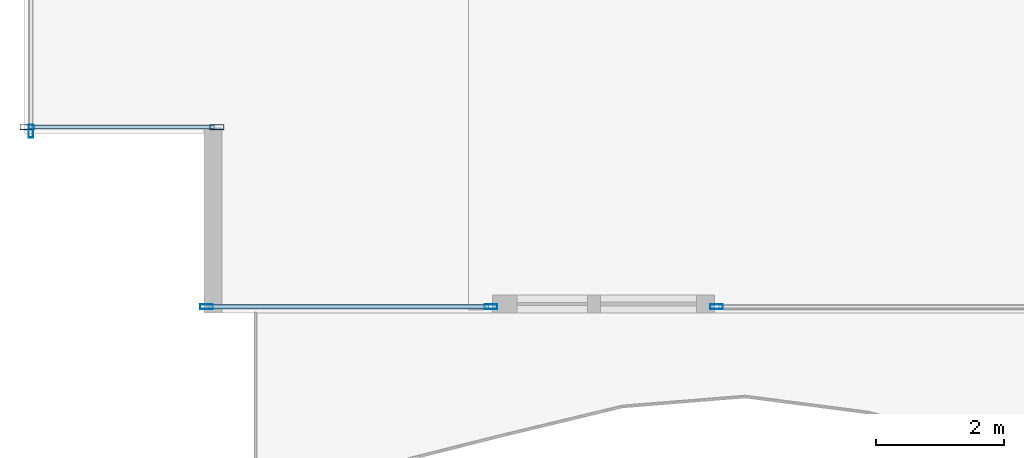
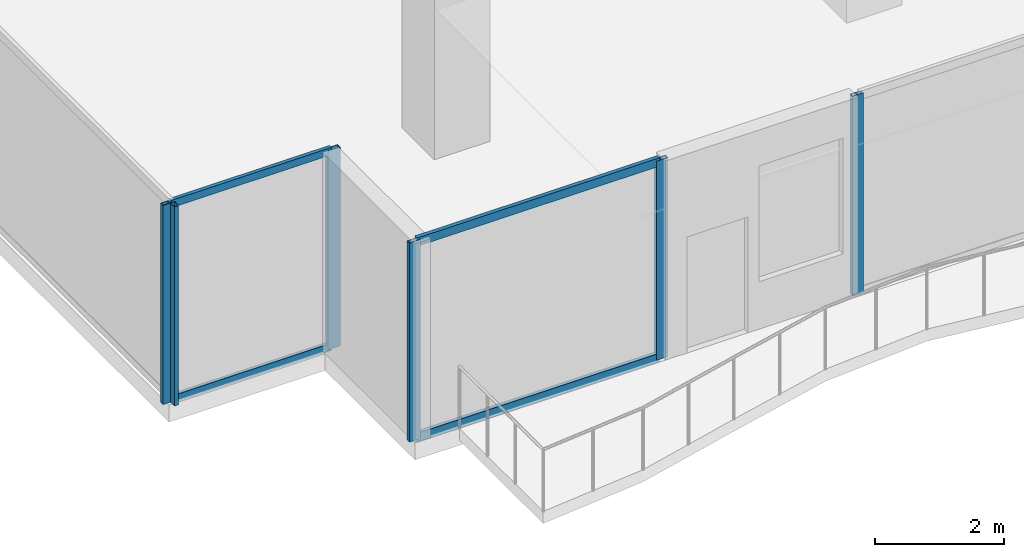
# One storey, part 2 of 32: 10 members, 4 elements without a shape of their own.
"""IFC4 building model written with IfcOpenShell, lengths in metres."""

from ifc_helpers import new_model, si_unit, direction, frame, origin, origin_2d, place, context, subcontext, project, spatial, hollow_rectangle, extrude, source, transform, mapped, material, layer, layer_set, material_profile, profile_set, type_object, type_shapes, element, aggregate, save


model = new_model("IFC4")

# Units and contexts
model_context = context("Model", 3, precision=1e-05, world=origin(), true_north=direction((0.0, 1.0)))
body_context = subcontext(model_context, "Body", "Model", "MODEL_VIEW")
ifc_project = project(units=[si_unit("LENGTHUNIT", "METRE"), si_unit("AREAUNIT", "SQUARE_METRE"), si_unit("VOLUMEUNIT", "CUBIC_METRE"), si_unit("PLANEANGLEUNIT", "RADIAN"), si_unit("MASSUNIT", "GRAM", prefix="KILO")], contexts=[model_context])

# Site, building, storey
site_placement = place(None, origin())
site = spatial("IfcSite", under=ifc_project, at=site_placement, CompositionType="ELEMENT")
building_placement = place(site_placement, origin())
building = spatial("IfcBuilding", under=site, at=building_placement, Name="Haelvirn Gate Laboratories", CompositionType="ELEMENT")
storey_placement = place(building_placement, frame((0.0, 0.0, 33.39990234375)))
storey = spatial("IfcBuildingStorey", under=building, at=storey_placement, Name="L08", CompositionType="ELEMENT", Elevation=33.39990234375)

# Curtain wall, members
ifc_material_1 = material(Name="Anodised bronze unitised aluminium & triple low-E glass", Category="aluminium")
ifc_layer_1 = layer(ifc_material_1, 0.18408203125, Name="CW-SYS-2")
ifc_layer_set_1 = layer_set([ifc_layer_1], Name="Anodised bronze unitised aluminium & triple low-E glass")
curtain_wall_type_1 = type_object("IfcCurtainWallType", Name="CW-SYS-2", PredefinedType="NOTDEFINED", material=ifc_layer_set_1)
curtain_wall_1_placement = place(storey_placement, origin())
curtain_wall_1 = element("IfcCurtainWall", 1, at=curtain_wall_1_placement, inside=storey, type_object=curtain_wall_type_1, Name="L08 Unitised Curtain Wall CW-L08-P0-E00-1", PredefinedType="NOTDEFINED")
ifc_material_2 = material(Name="Extruded aluminium 6063-T6 (anodised bronze)", Category="aluminium")
ifc_material_profile_1 = material_profile(ifc_material_2, hollow_rectangle(XDim=0.074951171875, YDim=0.199951171875, WallThickness=0.0048828125, at=origin_2d()), Name="CWM-200x75x5")
ifc_profile_set_1 = profile_set([ifc_material_profile_1], Name="Extruded aluminium 6063-T6 (anodised bronze)")
member_type_1 = type_object("IfcMemberType", Name="CWM-T200", PredefinedType="MULLION", material=ifc_profile_set_1)
shared_shape_1 = source(origin(), body_context, "Body", "SweptSolid", [
    extrude(hollow_rectangle(XDim=0.074951171875, YDim=0.199951171875, WallThickness=0.0048828125, at=origin_2d()), origin(), (0.0, 0.0, 1.0), 3.780029296875),
])
type_shapes(member_type_1, [shared_shape_1])
member_1_placement = place(storey_placement, frame((2.83740234375, 0.10009765625, 0.0), z_axis=(0.0, 0.0, 1.0), x_axis=(0.0, 1.0, 0.0)))
member_1 = element("IfcMember", 2, at=member_1_placement, type_object=member_type_1, Name="CW2 mullion 1", PredefinedType="MULLION", context=body_context, shape_type="MappedRepresentation", body=[
    mapped(shared_shape_1, transform((0.0, 0.0, 0.0), scale=1.0)),
])
member_2_placement = place(storey_placement, frame((7.2724609375, 0.10009765625, 0.0), z_axis=(0.0, 0.0, 1.0), x_axis=(0.0, 1.0, 0.0)))
member_2 = element("IfcMember", 3, at=member_2_placement, type_object=member_type_1, Name="CW2 mullion 2", PredefinedType="MULLION", context=body_context, shape_type="MappedRepresentation", body=[
    mapped(shared_shape_1, transform((0.0, 0.0, 0.0), scale=1.0)),
])

# Curtain wall, member
curtain_wall_2_placement = place(storey_placement, origin())
curtain_wall_2 = element("IfcCurtainWall", 4, at=curtain_wall_2_placement, inside=storey, type_object=curtain_wall_type_1, Name="L08 Unitised Curtain Wall CW-L08-P0-E00-2", PredefinedType="NOTDEFINED")
member_3_placement = place(storey_placement, frame((10.78759765625, 0.10009765625, 0.0), z_axis=(0.0, 0.0, 1.0), x_axis=(0.0, 1.0, 0.0)))
member_3 = element("IfcMember", 5, at=member_3_placement, type_object=member_type_1, Name="CW2 mullion 1", PredefinedType="MULLION", context=body_context, shape_type="MappedRepresentation", body=[
    mapped(shared_shape_1, transform((0.0, 0.0, 0.0), scale=1.0)),
])
aggregate(curtain_wall_2, [member_3])

curtain_wall_3_placement = place(storey_placement, origin())
curtain_wall_3 = element("IfcCurtainWall", 6, at=curtain_wall_3_placement, inside=storey, type_object=curtain_wall_type_1, Name="L08 Unitised Curtain Wall CW-L08-P0-E17", PredefinedType="NOTDEFINED")
member_4_placement = place(storey_placement, frame((0.10009765625, 2.83740234375, 0.0), z_axis=(0.0, 0.0, 1.0), x_axis=(1.0, 0.0, 0.0)))
member_4 = element("IfcMember", 7, at=member_4_placement, type_object=member_type_1, Name="CW2 mullion 4", PredefinedType="MULLION", context=body_context, shape_type="MappedRepresentation", body=[
    mapped(shared_shape_1, transform((0.0, 0.0, 0.0), scale=1.0)),
])
aggregate(curtain_wall_3, [member_4])

# Curtain wall, members
ifc_layer_2 = layer(ifc_material_1, 0.181884765625, Name="CW-SYS-5")
ifc_layer_set_2 = layer_set([ifc_layer_2], Name="Anodised bronze unitised aluminium & triple low-E glass")
curtain_wall_type_2 = type_object("IfcCurtainWallType", Name="CW-SYS-5", PredefinedType="NOTDEFINED", material=ifc_layer_set_2)
curtain_wall_4_placement = place(storey_placement, origin())
curtain_wall_4 = element("IfcCurtainWall", 8, at=curtain_wall_4_placement, inside=storey, type_object=curtain_wall_type_2, Name="L08 Unitised Curtain Wall CW-L08-P0-E18-1", PredefinedType="NOTDEFINED")
ifc_material_profile_2 = material_profile(ifc_material_2, hollow_rectangle(XDim=0.080078125, YDim=0.219970703125, WallThickness=0.006103515625, at=origin_2d()), Name="CWM-220x80x6")
ifc_profile_set_2 = profile_set([ifc_material_profile_2], Name="Extruded aluminium 6063-T6 (anodised bronze)")
member_type_2 = type_object("IfcMemberType", Name="CWM-T220", PredefinedType="MULLION", material=ifc_profile_set_2)
shared_shape_2 = source(origin(), body_context, "Body", "SweptSolid", [
    extrude(hollow_rectangle(XDim=0.080078125, YDim=0.219970703125, WallThickness=0.006103515625, at=origin_2d()), origin(), (0.0, 0.0, 1.0), 3.780029296875),
])
type_shapes(member_type_2, [shared_shape_2])
member_5_placement = place(storey_placement, frame((0.0400390625, 2.89990234375, 0.0), z_axis=(0.0, 0.0, 1.0), x_axis=(0.0, 1.0, 0.0)))
member_5 = element("IfcMember", 9, at=member_5_placement, type_object=member_type_2, Name="CW5 mullion 1", PredefinedType="MULLION", context=body_context, shape_type="MappedRepresentation", body=[
    mapped(shared_shape_2, transform((0.0, 0.0, 0.0), scale=1.0)),
])
member_6_placement = place(storey_placement, frame((3.0, 2.89990234375, 0.0), z_axis=(0.0, 0.0, 1.0), x_axis=(0.0, 1.0, 0.0)))
member_6 = element("IfcMember", 10, at=member_6_placement, type_object=member_type_2, Name="CW5 mullion 2", PredefinedType="MULLION", context=body_context, shape_type="MappedRepresentation", body=[
    mapped(shared_shape_2, transform((0.0, 0.0, 0.0), scale=1.0)),
])
ifc_material_profile_3 = material_profile(ifc_material_2, hollow_rectangle(XDim=0.06494140625, YDim=0.139892578125, WallThickness=0.00390625, at=origin_2d()), Name="CWT-140x65x4")
ifc_profile_set_3 = profile_set([ifc_material_profile_3], Name="Extruded aluminium 6063-T6 (anodised bronze)")
member_type_3 = type_object("IfcMemberType", Name="CWT-T140", PredefinedType="USERDEFINED", material=ifc_profile_set_3)
shared_shape_3 = source(origin(), body_context, "Body", "SweptSolid", [
    extrude(hollow_rectangle(XDim=0.06494140625, YDim=0.139892578125, WallThickness=0.00390625, at=origin_2d()), origin(), (0.0, 0.0, 1.0), 2.8798828125),
])
type_shapes(member_type_3, [shared_shape_3])
member_7_placement = place(storey_placement, frame((0.080078125, 2.89990234375, 0.03271484375), z_axis=(1.0, 0.0, 0.0), x_axis=(0.0, 1.0, 0.0)))
member_7 = element("IfcMember", 11, at=member_7_placement, type_object=member_type_3, Name="CW5 transom 1.1", ObjectType="TRANSOM", PredefinedType="USERDEFINED", context=body_context, shape_type="MappedRepresentation", body=[
    mapped(shared_shape_3, transform((0.0, 0.0, 0.0), scale=1.0)),
])
member_8_placement = place(storey_placement, frame((0.080078125, 2.89990234375, 3.74755859375), z_axis=(1.0, 0.0, 0.0), x_axis=(0.0, 1.0, 0.0)))
member_8 = element("IfcMember", 12, at=member_8_placement, type_object=member_type_3, Name="CW5 transom 1.2", ObjectType="TRANSOM", PredefinedType="USERDEFINED", context=body_context, shape_type="MappedRepresentation", body=[
    mapped(shared_shape_3, transform((0.0, 0.0, 0.0), scale=1.0)),
])
aggregate(curtain_wall_4, [member_5, member_6, member_7, member_8])

# Member
ifc_material_profile_4 = material_profile(ifc_material_2, hollow_rectangle(XDim=0.070068359375, YDim=0.159912109375, WallThickness=0.0048828125, at=origin_2d()), Name="CWT-160x70x5")
ifc_profile_set_4 = profile_set([ifc_material_profile_4], Name="Extruded aluminium 6063-T6 (anodised bronze)")
member_type_4 = type_object("IfcMemberType", Name="CWT-T160", PredefinedType="USERDEFINED", material=ifc_profile_set_4)
shared_shape_4 = source(origin(), body_context, "Body", "SweptSolid", [
    extrude(hollow_rectangle(XDim=0.070068359375, YDim=0.159912109375, WallThickness=0.0048828125, at=origin_2d()), origin(), (0.0, 0.0, 1.0), 4.360107421875),
])
type_shapes(member_type_4, [shared_shape_4])
member_9_placement = place(storey_placement, frame((2.875, 0.10009765625, 0.03515625), z_axis=(1.0, 0.0, 0.0), x_axis=(0.0, 1.0, 0.0)))
member_9 = element("IfcMember", 13, at=member_9_placement, type_object=member_type_4, Name="CW2 transom 1.1", ObjectType="TRANSOM", PredefinedType="USERDEFINED", context=body_context, shape_type="MappedRepresentation", body=[
    mapped(shared_shape_4, transform((0.0, 0.0, 0.0), scale=1.0)),
])

member_10_placement = place(storey_placement, frame((2.875, 0.10009765625, 3.7451171875), z_axis=(1.0, 0.0, 0.0), x_axis=(0.0, 1.0, 0.0)))
member_10 = element("IfcMember", 14, at=member_10_placement, type_object=member_type_4, Name="CW2 transom 1.2", ObjectType="TRANSOM", PredefinedType="USERDEFINED", context=body_context, shape_type="MappedRepresentation", body=[
    mapped(shared_shape_4, transform((0.0, 0.0, 0.0), scale=1.0)),
])

aggregate(curtain_wall_1, [member_1, member_2, member_9, member_10])

save(model, "model.ifc")
